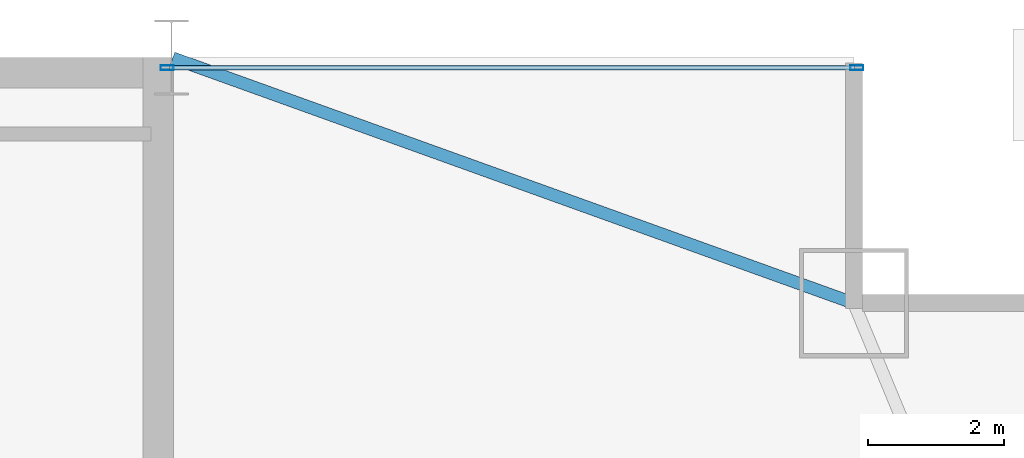
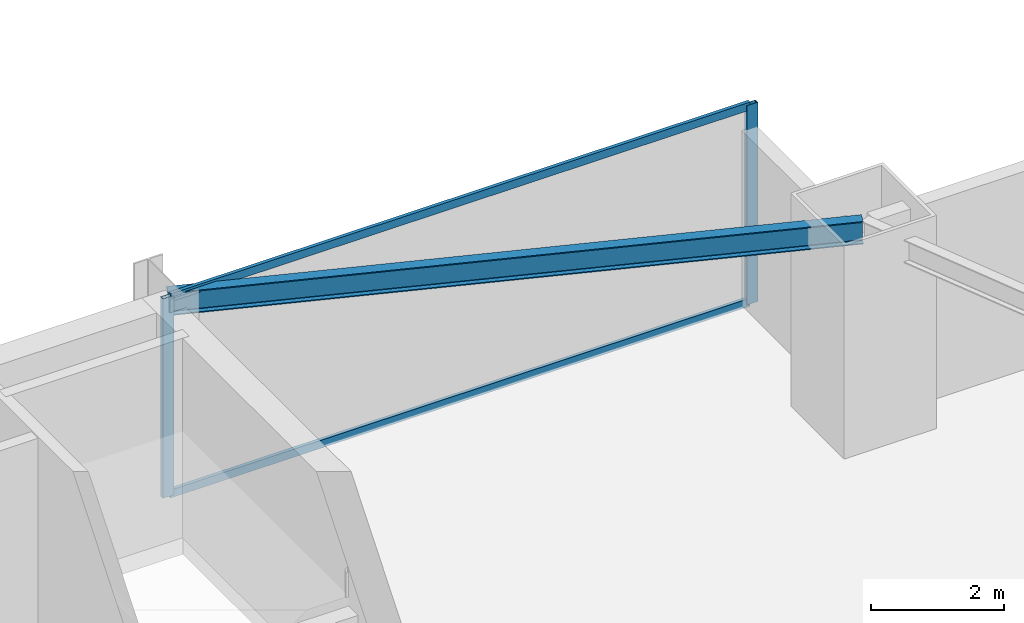
# One storey, part 21 of 34: 4 members, 1 beam, 1 element without a shape of its own.
"""IFC4 building model written with IfcOpenShell, lengths in metres."""

from ifc_helpers import new_model, si_unit, direction, frame, origin, origin_2d, place, context, subcontext, project, spatial, hollow_rectangle, i_section, extrude, source, transform, mapped, material, layer, layer_set, material_profile, profile_set, type_object, type_shapes, element, aggregate, save


model = new_model("IFC4")

# Units and contexts
model_context = context("Model", 3, precision=1e-05, world=origin(), true_north=direction((0.0, 1.0)))
body_context = subcontext(model_context, "Body", "Model", "MODEL_VIEW")
ifc_project = project(units=[si_unit("LENGTHUNIT", "METRE"), si_unit("AREAUNIT", "SQUARE_METRE"), si_unit("VOLUMEUNIT", "CUBIC_METRE"), si_unit("PLANEANGLEUNIT", "RADIAN"), si_unit("MASSUNIT", "GRAM", prefix="KILO")], contexts=[model_context])

# Site, building, storey
site_placement = place(None, origin())
site = spatial("IfcSite", under=ifc_project, at=site_placement, CompositionType="ELEMENT")
building_placement = place(site_placement, origin())
building = spatial("IfcBuilding", under=site, at=building_placement, Name="Varnel Quay Broadcast Tower", CompositionType="ELEMENT")
storey_placement = place(building_placement, frame((0.0, 0.0, 27.60009765625)))
storey = spatial("IfcBuildingStorey", under=building, at=storey_placement, Name="L05", CompositionType="ELEMENT", Elevation=27.60009765625)

# Beam
ifc_material_1 = material(Name="Structural Steel CSA G40.21 350W", Category="steel")
ifc_material_profile_1 = material_profile(ifc_material_1, i_section(OverallWidth=0.180908203125, OverallDepth=0.4169921875, WebThickness=0.010986328125, FlangeThickness=0.018310546875, FilletRadius=0.011962890625, at=origin_2d()), Name="W410X85")
ifc_profile_set_1 = profile_set([ifc_material_profile_1], Name="Structural Steel CSA G40.21 350W")
beam_type = type_object("IfcBeamType", Name="Beam_W410X85", PredefinedType="SPANDREL", material=ifc_profile_set_1)
shared_shape_1 = source(origin(), body_context, "Body", "SweptSolid", [
    extrude(i_section(OverallWidth=0.180908203125, OverallDepth=0.4169921875, WebThickness=0.010986328125, FlangeThickness=0.018310546875, FilletRadius=0.011962890625, at=origin_2d()), origin(), (0.0, 0.0, 1.0), 10.58837890625),
])
type_shapes(beam_type, [shared_shape_1])
beam_placement = place(storey_placement, frame((52.418701171875, 46.793212890625, 3.44140625), z_axis=(0.940888587605, -0.338716202321, 0.0), x_axis=(0.338716202321, 0.940888587605, 0.0)))
element("IfcBeam", 1, at=beam_placement, inside=storey, type_object=beam_type, Name="L05 NE Tie Spandrel", PredefinedType="SPANDREL", context=body_context, shape_type="MappedRepresentation", body=[
    mapped(shared_shape_1, transform((0.0, 0.0, 0.0), x_axis=(1.0, 0.0, 0.0), y_axis=(0.0, 1.0, 0.0), z_axis=(0.0, 0.0, 1.0), scale=1.0)),
])

# Curtain wall, members
ifc_material_2 = material(Name="Anodised Bronze Aluminium 6063-T6", Category="aluminium")
ifc_layer = layer(ifc_material_2, 0.18994140625, Name="Anodised Bronze Aluminium 6063-T6")
ifc_layer_set = layer_set([ifc_layer], Name="Anodised Bronze Aluminium 6063-T6")
curtain_wall_type = type_object("IfcCurtainWallType", Name="CW_LowerTower", PredefinedType="NOTDEFINED", material=ifc_layer_set)
curtain_wall_placement = place(storey_placement, origin())
curtain_wall = element("IfcCurtainWall", 2, at=curtain_wall_placement, inside=storey, type_object=curtain_wall_type, Name="L05 NE Wing Curtain Wall", PredefinedType="NOTDEFINED")
ifc_material_profile_2 = material_profile(ifc_material_2, hollow_rectangle(XDim=0.070068359375, YDim=0.18994140625, WallThickness=0.00390625, at=origin_2d()), Name="ALU70X190X4")
ifc_profile_set_2 = profile_set([ifc_material_profile_2], Name="Anodised Bronze Aluminium 6063-T6")
member_type_1 = type_object("IfcMemberType", Name="Mull_CWS-02", PredefinedType="MULLION", material=ifc_profile_set_2)
shared_shape_2 = source(origin(), body_context, "Body", "SweptSolid", [
    extrude(hollow_rectangle(XDim=0.070068359375, YDim=0.18994140625, WallThickness=0.00390625, at=origin_2d()), origin(), (0.0, 0.0, 1.0), 3.64990234375),
])
type_shapes(member_type_1, [shared_shape_2])
member_1_placement = place(storey_placement, frame((52.3349609375, 46.64990234375, 0.0), z_axis=(0.0, 0.0, 1.0), x_axis=(0.0, 1.0, 0.0)))
member_1 = element("IfcMember", 3, at=member_1_placement, type_object=member_type_1, Name="CWS-02 mullion 1", PredefinedType="MULLION", context=body_context, shape_type="MappedRepresentation", body=[
    mapped(shared_shape_2, transform((0.0, 0.0, 0.0), x_axis=(1.0, 0.0, 0.0), y_axis=(0.0, 1.0, 0.0), z_axis=(0.0, 0.0, 1.0), scale=1.0)),
])
member_2_placement = place(storey_placement, frame((62.445068359375, 46.64990234375, 0.0), z_axis=(0.0, 0.0, 1.0), x_axis=(0.0, 1.0, 0.0)))
member_2 = element("IfcMember", 4, at=member_2_placement, type_object=member_type_1, Name="CWS-02 mullion 2", PredefinedType="MULLION", context=body_context, shape_type="MappedRepresentation", body=[
    mapped(shared_shape_2, transform((0.0, 0.0, 0.0), x_axis=(1.0, 0.0, 0.0), y_axis=(0.0, 1.0, 0.0), z_axis=(0.0, 0.0, 1.0), scale=1.0)),
])
ifc_material_profile_3 = material_profile(ifc_material_2, hollow_rectangle(XDim=0.06005859375, YDim=0.14501953125, WallThickness=0.00341796875, at=origin_2d()), Name="ALU60X145X3.5")
ifc_profile_set_3 = profile_set([ifc_material_profile_3], Name="Anodised Bronze Aluminium 6063-T6")
member_type_2 = type_object("IfcMemberType", Name="Tran_CWS-02", PredefinedType="USERDEFINED", material=ifc_profile_set_3)
shared_shape_3 = source(origin(), body_context, "Body", "SweptSolid", [
    extrude(hollow_rectangle(XDim=0.06005859375, YDim=0.14501953125, WallThickness=0.00341796875, at=origin_2d()), origin(), (0.0, 0.0, 1.0), 10.039794921875),
])
type_shapes(member_type_2, [shared_shape_3])
member_3_placement = place(storey_placement, frame((52.3701171875, 46.64990234375, 0.02978515625), z_axis=(1.0, 0.0, 0.0), x_axis=(0.0, 1.0, 0.0)))
member_3 = element("IfcMember", 5, at=member_3_placement, type_object=member_type_2, Name="CWS-02 transom 1.1", ObjectType="TRANSOM", PredefinedType="USERDEFINED", context=body_context, shape_type="MappedRepresentation", body=[
    mapped(shared_shape_3, transform((0.0, 0.0, 0.0), x_axis=(1.0, 0.0, 0.0), y_axis=(0.0, 1.0, 0.0), z_axis=(0.0, 0.0, 1.0), scale=1.0)),
])
member_4_placement = place(storey_placement, frame((52.3701171875, 46.64990234375, 3.619873046875), z_axis=(1.0, 0.0, 0.0), x_axis=(0.0, 1.0, 0.0)))
member_4 = element("IfcMember", 6, at=member_4_placement, type_object=member_type_2, Name="CWS-02 transom 1.2", ObjectType="TRANSOM", PredefinedType="USERDEFINED", context=body_context, shape_type="MappedRepresentation", body=[
    mapped(shared_shape_3, transform((0.0, 0.0, 0.0), x_axis=(1.0, 0.0, 0.0), y_axis=(0.0, 1.0, 0.0), z_axis=(0.0, 0.0, 1.0), scale=1.0)),
])
aggregate(curtain_wall, [member_1, member_2, member_3, member_4])

save(model, "model.ifc")
